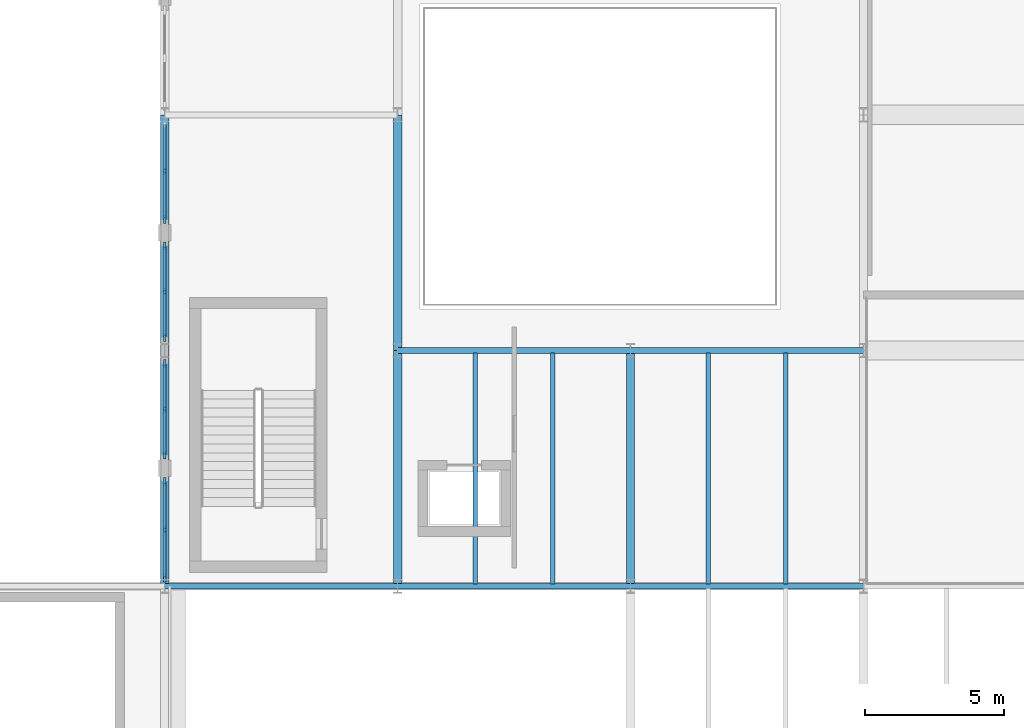
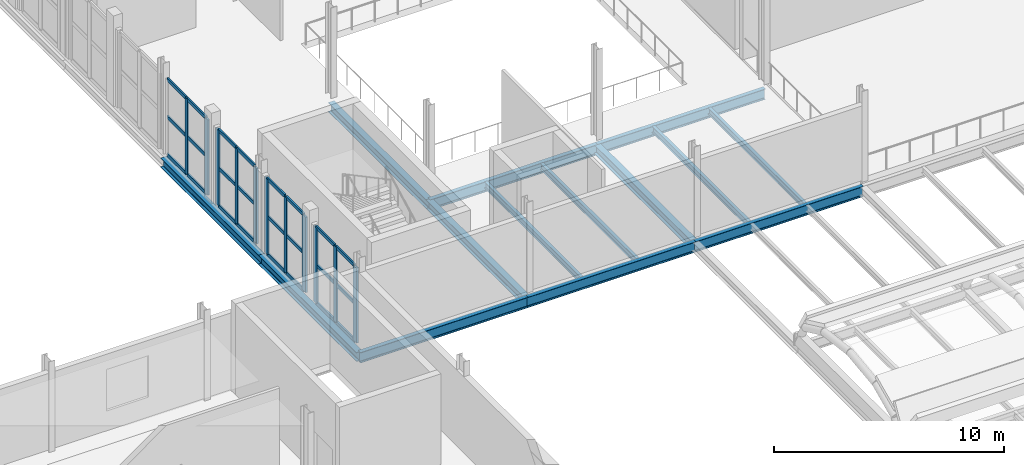
# One storey, part 22 of 63: 35 members, 14 beams, 4 elements without a shape of their own.
"""IFC4 building model written with IfcOpenShell, lengths in metres."""

from ifc_helpers import new_model, si_unit, direction, frame, origin, origin_2d, place, context, subcontext, project, spatial, rectangle, i_section, extrude, material, layer, layer_set, material_profile, profile_set, type_object, element, aggregate, save


model = new_model("IFC4")

# Units and contexts
model_context = context("Model", 3, precision=1e-05, world=origin(), true_north=direction((0.0, 1.0)))
body_context = subcontext(model_context, "Body", "Model", "MODEL_VIEW")
ifc_project = project(units=[si_unit("LENGTHUNIT", "METRE"), si_unit("AREAUNIT", "SQUARE_METRE"), si_unit("VOLUMEUNIT", "CUBIC_METRE"), si_unit("PLANEANGLEUNIT", "RADIAN"), si_unit("MASSUNIT", "GRAM", prefix="KILO")], contexts=[model_context])

# Site, building, storey
site_placement = place(None, origin())
site = spatial("IfcSite", under=ifc_project, at=site_placement, CompositionType="ELEMENT")
building_placement = place(site_placement, origin())
building = spatial("IfcBuilding", under=site, at=building_placement, Name="Sefraquen Railside Congress Hotel", CompositionType="ELEMENT")
storey_placement = place(building_placement, frame((0.0, 0.0, 11.39990234375)))
storey = spatial("IfcBuildingStorey", under=building, at=storey_placement, Name="L02", CompositionType="ELEMENT", Elevation=11.39990234375)

# Beams
ifc_material_1 = material(Name="Steel S355JR", Category="steel")
ifc_material_profile_1 = material_profile(ifc_material_1, i_section(OverallWidth=0.300048828125, OverallDepth=0.489990234375, WebThickness=0.011962890625, FlangeThickness=0.02294921875, FilletRadius=0.027099609375, at=origin_2d()), Name="HEA 500")
ifc_profile_set_1 = profile_set([ifc_material_profile_1], Name="Steel S355JR")
beam_type_1 = type_object("IfcBeamType", Name="TB-GIR-500", PredefinedType="T_BEAM", material=ifc_profile_set_1)
for number, where, z_axis, x_axis, name in (
    (1, (103.199951171875, 54.0, -0.594970703125), (0.0, 1.0, 0.0), (-1.0, 0.0, 0.0), "Floor beam BM-L02-0927"),
    (2, (103.199951171875, 62.5, -0.594970703125), (0.0, 1.0, 0.0), (-1.0, 0.0, 0.0), "Floor beam BM-L02-0928"),
    (3, (111.60009765625, 54.0, -0.594970703125), (0.0, 1.0, 0.0), (-1.0, 0.0, 0.0), "Floor beam BM-L02-0935"),
    (4, (111.60009765625, 62.5, -0.594970703125), (0.0, 1.0, 0.0), (-1.0, 0.0, 0.0), "Floor beam BM-L02-0936"),
    (5, (120.0, 54.0, -0.594970703125), (0.0, 1.0, 0.0), (-1.0, 0.0, 0.0), "Floor beam BM-L02-0948"),
):
    element("IfcBeam", number, at=place(storey_placement, frame(where, z_axis=z_axis, x_axis=x_axis)), inside=storey, type_object=beam_type_1, Name=name, PredefinedType="T_BEAM", context=body_context, shape_type="SweptSolid", body=[
        extrude(i_section(OverallWidth=0.300048828125, OverallDepth=0.489990234375, WebThickness=0.011962890625, FlangeThickness=0.02294921875, FilletRadius=0.027099609375, at=origin_2d()), origin(), (0.0, 0.0, 1.0), 8.5),
    ])
ifc_material_profile_2 = material_profile(ifc_material_1, i_section(OverallWidth=0.2099609375, OverallDepth=0.550048828125, WebThickness=0.010986328125, FlangeThickness=0.01708984375, FilletRadius=0.02392578125, at=origin_2d()), Name="IPE 550")
ifc_profile_set_2 = profile_set([ifc_material_profile_2], Name="Steel S355JR")
beam_type_2 = type_object("IfcBeamType", Name="TB-GIR-550", PredefinedType="T_BEAM", material=ifc_profile_set_2)
beam_placement = place(storey_placement, frame((103.199951171875, 54.0, -0.625), z_axis=(1.0, 0.0, 0.0), x_axis=(0.0, 1.0, 0.0)))
element("IfcBeam", 6, at=beam_placement, inside=storey, type_object=beam_type_2, Name="Primary girder BM-L02-0724", PredefinedType="T_BEAM", context=body_context, shape_type="SweptSolid", body=[
    extrude(i_section(OverallWidth=0.2099609375, OverallDepth=0.550048828125, WebThickness=0.010986328125, FlangeThickness=0.01708984375, FilletRadius=0.02392578125, at=origin_2d()), origin(), (0.0, 0.0, 1.0), 8.400146484375),
])
for number, where, z_axis, x_axis, name in (
    (7, (111.60009765625, 54.0, -0.625), (1.0, 0.0, 0.0), (0.0, 1.0, 0.0), "Primary girder BM-L02-0725"),
    (8, (120.0, 54.0, -0.625), (1.0, 0.0, 0.0), (0.0, 1.0, 0.0), "Primary girder BM-L02-0726"),
    (9, (111.60009765625, 62.5, -0.625), (1.0, 0.0, 0.0), (0.0, 1.0, 0.0), "Primary girder BM-L02-0738"),
    (10, (120.0, 62.5, -0.625), (1.0, 0.0, 0.0), (0.0, 1.0, 0.0), "Primary girder BM-L02-0739"),
):
    element("IfcBeam", number, at=place(storey_placement, frame(where, z_axis=z_axis, x_axis=x_axis)), inside=storey, type_object=beam_type_2, Name=name, PredefinedType="T_BEAM", context=body_context, shape_type="SweptSolid", body=[
        extrude(i_section(OverallWidth=0.2099609375, OverallDepth=0.550048828125, WebThickness=0.010986328125, FlangeThickness=0.01708984375, FilletRadius=0.02392578125, at=origin_2d()), origin(), (0.0, 0.0, 1.0), 8.39990234375),
    ])
ifc_material_profile_3 = material_profile(ifc_material_1, i_section(OverallWidth=0.159912109375, OverallDepth=0.330078125, WebThickness=0.007568359375, FlangeThickness=0.011474609375, FilletRadius=0.01806640625, at=origin_2d()), Name="IPE 330")
ifc_profile_set_3 = profile_set([ifc_material_profile_3], Name="Steel S355JR")
beam_type_3 = type_object("IfcBeamType", Name="TB-JST-330", PredefinedType="JOIST", material=ifc_profile_set_3)
for number, where, z_axis, x_axis, name in (
    (11, (114.39990234375, 54.0849609375, -0.514892578125), (0.0, 1.0, 0.0), (-1.0, 0.0, 0.0), "Composite floor joist BM-L02-J0572"),
    (12, (117.199951171875, 54.0849609375, -0.514892578125), (0.0, 1.0, 0.0), (-1.0, 0.0, 0.0), "Composite floor joist BM-L02-J0573"),
    (13, (122.800048828125, 54.0849609375, -0.514892578125), (0.0, 1.0, 0.0), (-1.0, 0.0, 0.0), "Composite floor joist BM-L02-J0594"),
    (14, (125.60009765625, 54.0849609375, -0.514892578125), (0.0, 1.0, 0.0), (-1.0, 0.0, 0.0), "Composite floor joist BM-L02-J0595"),
):
    element("IfcBeam", number, at=place(storey_placement, frame(where, z_axis=z_axis, x_axis=x_axis)), inside=storey, type_object=beam_type_3, Name=name, PredefinedType="JOIST", context=body_context, shape_type="SweptSolid", body=[
        extrude(i_section(OverallWidth=0.159912109375, OverallDepth=0.330078125, WebThickness=0.007568359375, FlangeThickness=0.011474609375, FilletRadius=0.01806640625, at=origin_2d()), origin(), (0.0, 0.0, 1.0), 8.330078125),
    ])

# Curtain wall, member
ifc_material_2 = material(Name="Thermally broken anodised aluminium and low-E double glazing", Category="aluminium")
ifc_layer = layer(ifc_material_2, 0.199951171875)
ifc_layer_set = layer_set([ifc_layer], Name="Thermally broken anodised aluminium and low-E double glazing")
curtain_wall_type = type_object("IfcCurtainWallType", Name="TCW-UCW-29", PredefinedType="USERDEFINED", material=ifc_layer_set)
curtain_wall_1_placement = place(storey_placement, origin())
curtain_wall_1 = element("IfcCurtainWall", 15, at=curtain_wall_1_placement, inside=storey, type_object=curtain_wall_type, Name="Courtyard east gallery curtain wall L02", ObjectType="UNITISED CURTAIN WALL", PredefinedType="USERDEFINED")
ifc_material_3 = material(Name="Thermally broken anodised aluminium 6063-T6", Category="aluminium")
ifc_material_profile_4 = material_profile(ifc_material_3, rectangle(XDim=0.080078125, YDim=0.239990234375, at=origin_2d()), Name="CWM 80x240")
ifc_profile_set_4 = profile_set([ifc_material_profile_4], Name="Thermally broken anodised aluminium 6063-T6")
member_type_1 = type_object("IfcMemberType", Name="TM-CWM-05", PredefinedType="MULLION", material=ifc_profile_set_4)
member_1_placement = place(storey_placement, frame((103.199951171875, 56.0400390625, 0.0), z_axis=(0.0, 0.0, 1.0), x_axis=(1.0, 0.0, 0.0)))
member_1 = element("IfcMember", 16, at=member_1_placement, type_object=member_type_1, Name="CW-L02-061 mullion 2", PredefinedType="MULLION", context=body_context, shape_type="SweptSolid", body=[
    extrude(rectangle(XDim=0.080078125, YDim=0.239990234375, at=origin_2d()), origin(), (0.0, 0.0, 1.0), 3.989990234375),
])

curtain_wall_2_placement = place(storey_placement, origin())
curtain_wall_2 = element("IfcCurtainWall", 17, at=curtain_wall_2_placement, inside=storey, type_object=curtain_wall_type, Name="Courtyard east gallery curtain wall L02 bay 2", ObjectType="UNITISED CURTAIN WALL", PredefinedType="USERDEFINED")
member_2_placement = place(storey_placement, frame((103.199951171875, 60.375, 0.0), z_axis=(0.0, 0.0, 1.0), x_axis=(1.0, 0.0, 0.0)))
member_2 = element("IfcMember", 18, at=member_2_placement, type_object=member_type_1, Name="CW-L02-061-S2 mullion 2", PredefinedType="MULLION", context=body_context, shape_type="SweptSolid", body=[
    extrude(rectangle(XDim=0.080078125, YDim=0.239990234375, at=origin_2d()), origin(), (0.0, 0.0, 1.0), 3.989990234375),
])

curtain_wall_3_placement = place(storey_placement, origin())
curtain_wall_3 = element("IfcCurtainWall", 19, at=curtain_wall_3_placement, inside=storey, type_object=curtain_wall_type, Name="Courtyard east gallery curtain wall L02 bay 3", ObjectType="UNITISED CURTAIN WALL", PredefinedType="USERDEFINED")
member_3_placement = place(storey_placement, frame((103.199951171875, 64.625, 0.0), z_axis=(0.0, 0.0, 1.0), x_axis=(1.0, 0.0, 0.0)))
member_3 = element("IfcMember", 20, at=member_3_placement, type_object=member_type_1, Name="CW-L02-061-S3 mullion 2", PredefinedType="MULLION", context=body_context, shape_type="SweptSolid", body=[
    extrude(rectangle(XDim=0.080078125, YDim=0.239990234375, at=origin_2d()), origin(), (0.0, 0.0, 1.0), 3.989990234375),
])

curtain_wall_4_placement = place(storey_placement, origin())
curtain_wall_4 = element("IfcCurtainWall", 21, at=curtain_wall_4_placement, inside=storey, type_object=curtain_wall_type, Name="Courtyard east gallery curtain wall L02 bay 4", ObjectType="UNITISED CURTAIN WALL", PredefinedType="USERDEFINED")
member_4_placement = place(storey_placement, frame((103.199951171875, 68.9599609375, 0.0), z_axis=(0.0, 0.0, 1.0), x_axis=(1.0, 0.0, 0.0)))
member_4 = element("IfcMember", 22, at=member_4_placement, type_object=member_type_1, Name="CW-L02-061-S4 mullion 2", PredefinedType="MULLION", context=body_context, shape_type="SweptSolid", body=[
    extrude(rectangle(XDim=0.080078125, YDim=0.239990234375, at=origin_2d()), origin(), (0.0, 0.0, 1.0), 3.989990234375),
])

# Member
ifc_material_profile_5 = material_profile(ifc_material_3, rectangle(XDim=0.094970703125, YDim=0.300048828125, at=origin_2d()), Name="CWM 95x300")
ifc_profile_set_5 = profile_set([ifc_material_profile_5], Name="Thermally broken anodised aluminium 6063-T6")
member_type_2 = type_object("IfcMemberType", Name="TM-CWM-08", PredefinedType="MULLION", material=ifc_profile_set_5)
member_5_placement = place(storey_placement, frame((103.199951171875, 54.31005859375, 0.0), z_axis=(0.0, 0.0, 1.0), x_axis=(1.0, 0.0, 0.0)))
member_5 = element("IfcMember", 23, at=member_5_placement, type_object=member_type_2, Name="CW-L02-061 mullion 1", PredefinedType="MULLION", context=body_context, shape_type="SweptSolid", body=[
    extrude(rectangle(XDim=0.094970703125, YDim=0.300048828125, at=origin_2d()), origin(), (0.0, 0.0, 1.0), 3.989990234375),
])

member_6_placement = place(storey_placement, frame((103.199951171875, 57.77001953125, 0.0), z_axis=(0.0, 0.0, 1.0), x_axis=(1.0, 0.0, 0.0)))
member_6 = element("IfcMember", 24, at=member_6_placement, type_object=member_type_2, Name="CW-L02-061 mullion 3", PredefinedType="MULLION", context=body_context, shape_type="SweptSolid", body=[
    extrude(rectangle(XDim=0.094970703125, YDim=0.300048828125, at=origin_2d()), origin(), (0.0, 0.0, 1.0), 3.989990234375),
])

member_7_placement = place(storey_placement, frame((103.199951171875, 58.72998046875, 0.0), z_axis=(0.0, 0.0, 1.0), x_axis=(1.0, 0.0, 0.0)))
member_7 = element("IfcMember", 25, at=member_7_placement, type_object=member_type_2, Name="CW-L02-061-S2 mullion 1", PredefinedType="MULLION", context=body_context, shape_type="SweptSolid", body=[
    extrude(rectangle(XDim=0.094970703125, YDim=0.300048828125, at=origin_2d()), origin(), (0.0, 0.0, 1.0), 3.989990234375),
])

member_8_placement = place(storey_placement, frame((103.199951171875, 62.02001953125, 0.0), z_axis=(0.0, 0.0, 1.0), x_axis=(1.0, 0.0, 0.0)))
member_8 = element("IfcMember", 26, at=member_8_placement, type_object=member_type_2, Name="CW-L02-061-S2 mullion 3", PredefinedType="MULLION", context=body_context, shape_type="SweptSolid", body=[
    extrude(rectangle(XDim=0.094970703125, YDim=0.300048828125, at=origin_2d()), origin(), (0.0, 0.0, 1.0), 3.989990234375),
])

member_9_placement = place(storey_placement, frame((103.199951171875, 62.97998046875, 0.0), z_axis=(0.0, 0.0, 1.0), x_axis=(1.0, 0.0, 0.0)))
member_9 = element("IfcMember", 27, at=member_9_placement, type_object=member_type_2, Name="CW-L02-061-S3 mullion 1", PredefinedType="MULLION", context=body_context, shape_type="SweptSolid", body=[
    extrude(rectangle(XDim=0.094970703125, YDim=0.300048828125, at=origin_2d()), origin(), (0.0, 0.0, 1.0), 3.989990234375),
])

member_10_placement = place(storey_placement, frame((103.199951171875, 66.27001953125, 0.0), z_axis=(0.0, 0.0, 1.0), x_axis=(1.0, 0.0, 0.0)))
member_10 = element("IfcMember", 28, at=member_10_placement, type_object=member_type_2, Name="CW-L02-061-S3 mullion 3", PredefinedType="MULLION", context=body_context, shape_type="SweptSolid", body=[
    extrude(rectangle(XDim=0.094970703125, YDim=0.300048828125, at=origin_2d()), origin(), (0.0, 0.0, 1.0), 3.989990234375),
])

member_11_placement = place(storey_placement, frame((103.199951171875, 67.22998046875, 0.0), z_axis=(0.0, 0.0, 1.0), x_axis=(1.0, 0.0, 0.0)))
member_11 = element("IfcMember", 29, at=member_11_placement, type_object=member_type_2, Name="CW-L02-061-S4 mullion 1", PredefinedType="MULLION", context=body_context, shape_type="SweptSolid", body=[
    extrude(rectangle(XDim=0.094970703125, YDim=0.300048828125, at=origin_2d()), origin(), (0.0, 0.0, 1.0), 3.989990234375),
])

ifc_material_profile_6 = material_profile(ifc_material_3, rectangle(XDim=0.080078125, YDim=0.179931640625, at=origin_2d()), Name="CWT 80x180")
ifc_profile_set_6 = profile_set([ifc_material_profile_6], Name="Thermally broken anodised aluminium 6063-T6")
member_type_3 = type_object("IfcMemberType", Name="TM-CWT-05", PredefinedType="USERDEFINED", material=ifc_profile_set_6)
member_12_placement = place(storey_placement, frame((103.199951171875, 54.35498046875, 0.0), z_axis=(0.0, 1.0, 0.0), x_axis=(-1.0, 0.0, 0.0)))
member_12 = element("IfcMember", 30, at=member_12_placement, type_object=member_type_3, Name="CW-L02-061 transom 1.1", ObjectType="TRANSOM", PredefinedType="USERDEFINED", context=body_context, shape_type="SweptSolid", body=[
    extrude(rectangle(XDim=0.080078125, YDim=0.179931640625, at=origin_2d()), origin(), (0.0, 0.0, 1.0), 1.64013671875),
])

member_13_placement = place(storey_placement, frame((103.199951171875, 56.0849609375, 0.0), z_axis=(0.0, 1.0, 0.0), x_axis=(-1.0, 0.0, 0.0)))
member_13 = element("IfcMember", 31, at=member_13_placement, type_object=member_type_3, Name="CW-L02-061 transom 1.2", ObjectType="TRANSOM", PredefinedType="USERDEFINED", context=body_context, shape_type="SweptSolid", body=[
    extrude(rectangle(XDim=0.080078125, YDim=0.179931640625, at=origin_2d()), origin(), (0.0, 0.0, 1.0), 1.64013671875),
])

member_14_placement = place(storey_placement, frame((103.199951171875, 54.35498046875, 1.9951171875), z_axis=(0.0, 1.0, 0.0), x_axis=(-1.0, 0.0, 0.0)))
member_14 = element("IfcMember", 32, at=member_14_placement, type_object=member_type_3, Name="CW-L02-061 transom 2.1", ObjectType="TRANSOM", PredefinedType="USERDEFINED", context=body_context, shape_type="SweptSolid", body=[
    extrude(rectangle(XDim=0.080078125, YDim=0.179931640625, at=origin_2d()), origin(), (0.0, 0.0, 1.0), 1.64013671875),
])

member_15_placement = place(storey_placement, frame((103.199951171875, 56.0849609375, 1.9951171875), z_axis=(0.0, 1.0, 0.0), x_axis=(-1.0, 0.0, 0.0)))
member_15 = element("IfcMember", 33, at=member_15_placement, type_object=member_type_3, Name="CW-L02-061 transom 2.2", ObjectType="TRANSOM", PredefinedType="USERDEFINED", context=body_context, shape_type="SweptSolid", body=[
    extrude(rectangle(XDim=0.080078125, YDim=0.179931640625, at=origin_2d()), origin(), (0.0, 0.0, 1.0), 1.64013671875),
])

member_16_placement = place(storey_placement, frame((103.199951171875, 54.35498046875, 3.989990234375), z_axis=(0.0, 1.0, 0.0), x_axis=(-1.0, 0.0, 0.0)))
member_16 = element("IfcMember", 34, at=member_16_placement, type_object=member_type_3, Name="CW-L02-061 transom 3.1", ObjectType="TRANSOM", PredefinedType="USERDEFINED", context=body_context, shape_type="SweptSolid", body=[
    extrude(rectangle(XDim=0.080078125, YDim=0.179931640625, at=origin_2d()), origin(), (0.0, 0.0, 1.0), 1.64013671875),
])

member_17_placement = place(storey_placement, frame((103.199951171875, 56.0849609375, 3.989990234375), z_axis=(0.0, 1.0, 0.0), x_axis=(-1.0, 0.0, 0.0)))
member_17 = element("IfcMember", 35, at=member_17_placement, type_object=member_type_3, Name="CW-L02-061 transom 3.2", ObjectType="TRANSOM", PredefinedType="USERDEFINED", context=body_context, shape_type="SweptSolid", body=[
    extrude(rectangle(XDim=0.080078125, YDim=0.179931640625, at=origin_2d()), origin(), (0.0, 0.0, 1.0), 1.64013671875),
])

aggregate(curtain_wall_1, [member_5, member_1, member_6, member_12, member_13, member_14, member_15, member_16, member_17])

member_18_placement = place(storey_placement, frame((103.199951171875, 58.77490234375, 0.0), z_axis=(0.0, 1.0, 0.0), x_axis=(-1.0, 0.0, 0.0)))
member_18 = element("IfcMember", 36, at=member_18_placement, type_object=member_type_3, Name="CW-L02-061-S2 transom 1.1", ObjectType="TRANSOM", PredefinedType="USERDEFINED", context=body_context, shape_type="SweptSolid", body=[
    extrude(rectangle(XDim=0.080078125, YDim=0.179931640625, at=origin_2d()), origin(), (0.0, 0.0, 1.0), 1.55517578125),
])

member_19_placement = place(storey_placement, frame((103.199951171875, 60.419921875, 0.0), z_axis=(0.0, 1.0, 0.0), x_axis=(-1.0, 0.0, 0.0)))
member_19 = element("IfcMember", 37, at=member_19_placement, type_object=member_type_3, Name="CW-L02-061-S2 transom 1.2", ObjectType="TRANSOM", PredefinedType="USERDEFINED", context=body_context, shape_type="SweptSolid", body=[
    extrude(rectangle(XDim=0.080078125, YDim=0.179931640625, at=origin_2d()), origin(), (0.0, 0.0, 1.0), 1.55517578125),
])

member_20_placement = place(storey_placement, frame((103.199951171875, 58.77490234375, 1.9951171875), z_axis=(0.0, 1.0, 0.0), x_axis=(-1.0, 0.0, 0.0)))
member_20 = element("IfcMember", 38, at=member_20_placement, type_object=member_type_3, Name="CW-L02-061-S2 transom 2.1", ObjectType="TRANSOM", PredefinedType="USERDEFINED", context=body_context, shape_type="SweptSolid", body=[
    extrude(rectangle(XDim=0.080078125, YDim=0.179931640625, at=origin_2d()), origin(), (0.0, 0.0, 1.0), 1.55517578125),
])

member_21_placement = place(storey_placement, frame((103.199951171875, 60.419921875, 1.9951171875), z_axis=(0.0, 1.0, 0.0), x_axis=(-1.0, 0.0, 0.0)))
member_21 = element("IfcMember", 39, at=member_21_placement, type_object=member_type_3, Name="CW-L02-061-S2 transom 2.2", ObjectType="TRANSOM", PredefinedType="USERDEFINED", context=body_context, shape_type="SweptSolid", body=[
    extrude(rectangle(XDim=0.080078125, YDim=0.179931640625, at=origin_2d()), origin(), (0.0, 0.0, 1.0), 1.55517578125),
])

member_22_placement = place(storey_placement, frame((103.199951171875, 58.77490234375, 3.989990234375), z_axis=(0.0, 1.0, 0.0), x_axis=(-1.0, 0.0, 0.0)))
member_22 = element("IfcMember", 40, at=member_22_placement, type_object=member_type_3, Name="CW-L02-061-S2 transom 3.1", ObjectType="TRANSOM", PredefinedType="USERDEFINED", context=body_context, shape_type="SweptSolid", body=[
    extrude(rectangle(XDim=0.080078125, YDim=0.179931640625, at=origin_2d()), origin(), (0.0, 0.0, 1.0), 1.55517578125),
])

member_23_placement = place(storey_placement, frame((103.199951171875, 60.419921875, 3.989990234375), z_axis=(0.0, 1.0, 0.0), x_axis=(-1.0, 0.0, 0.0)))
member_23 = element("IfcMember", 41, at=member_23_placement, type_object=member_type_3, Name="CW-L02-061-S2 transom 3.2", ObjectType="TRANSOM", PredefinedType="USERDEFINED", context=body_context, shape_type="SweptSolid", body=[
    extrude(rectangle(XDim=0.080078125, YDim=0.179931640625, at=origin_2d()), origin(), (0.0, 0.0, 1.0), 1.55517578125),
])

aggregate(curtain_wall_2, [member_7, member_2, member_8, member_18, member_19, member_20, member_21, member_22, member_23])

member_24_placement = place(storey_placement, frame((103.199951171875, 63.02490234375, 0.0), z_axis=(0.0, 1.0, 0.0), x_axis=(-1.0, 0.0, 0.0)))
member_24 = element("IfcMember", 42, at=member_24_placement, type_object=member_type_3, Name="CW-L02-061-S3 transom 1.1", ObjectType="TRANSOM", PredefinedType="USERDEFINED", context=body_context, shape_type="SweptSolid", body=[
    extrude(rectangle(XDim=0.080078125, YDim=0.179931640625, at=origin_2d()), origin(), (0.0, 0.0, 1.0), 1.55517578125),
])

member_25_placement = place(storey_placement, frame((103.199951171875, 64.669921875, 0.0), z_axis=(0.0, 1.0, 0.0), x_axis=(-1.0, 0.0, 0.0)))
member_25 = element("IfcMember", 43, at=member_25_placement, type_object=member_type_3, Name="CW-L02-061-S3 transom 1.2", ObjectType="TRANSOM", PredefinedType="USERDEFINED", context=body_context, shape_type="SweptSolid", body=[
    extrude(rectangle(XDim=0.080078125, YDim=0.179931640625, at=origin_2d()), origin(), (0.0, 0.0, 1.0), 1.55517578125),
])

member_26_placement = place(storey_placement, frame((103.199951171875, 63.02490234375, 1.9951171875), z_axis=(0.0, 1.0, 0.0), x_axis=(-1.0, 0.0, 0.0)))
member_26 = element("IfcMember", 44, at=member_26_placement, type_object=member_type_3, Name="CW-L02-061-S3 transom 2.1", ObjectType="TRANSOM", PredefinedType="USERDEFINED", context=body_context, shape_type="SweptSolid", body=[
    extrude(rectangle(XDim=0.080078125, YDim=0.179931640625, at=origin_2d()), origin(), (0.0, 0.0, 1.0), 1.55517578125),
])

member_27_placement = place(storey_placement, frame((103.199951171875, 64.669921875, 1.9951171875), z_axis=(0.0, 1.0, 0.0), x_axis=(-1.0, 0.0, 0.0)))
member_27 = element("IfcMember", 45, at=member_27_placement, type_object=member_type_3, Name="CW-L02-061-S3 transom 2.2", ObjectType="TRANSOM", PredefinedType="USERDEFINED", context=body_context, shape_type="SweptSolid", body=[
    extrude(rectangle(XDim=0.080078125, YDim=0.179931640625, at=origin_2d()), origin(), (0.0, 0.0, 1.0), 1.55517578125),
])

member_28_placement = place(storey_placement, frame((103.199951171875, 63.02490234375, 3.989990234375), z_axis=(0.0, 1.0, 0.0), x_axis=(-1.0, 0.0, 0.0)))
member_28 = element("IfcMember", 46, at=member_28_placement, type_object=member_type_3, Name="CW-L02-061-S3 transom 3.1", ObjectType="TRANSOM", PredefinedType="USERDEFINED", context=body_context, shape_type="SweptSolid", body=[
    extrude(rectangle(XDim=0.080078125, YDim=0.179931640625, at=origin_2d()), origin(), (0.0, 0.0, 1.0), 1.55517578125),
])

member_29_placement = place(storey_placement, frame((103.199951171875, 64.669921875, 3.989990234375), z_axis=(0.0, 1.0, 0.0), x_axis=(-1.0, 0.0, 0.0)))
member_29 = element("IfcMember", 47, at=member_29_placement, type_object=member_type_3, Name="CW-L02-061-S3 transom 3.2", ObjectType="TRANSOM", PredefinedType="USERDEFINED", context=body_context, shape_type="SweptSolid", body=[
    extrude(rectangle(XDim=0.080078125, YDim=0.179931640625, at=origin_2d()), origin(), (0.0, 0.0, 1.0), 1.55517578125),
])

aggregate(curtain_wall_3, [member_9, member_3, member_10, member_24, member_25, member_26, member_27, member_28, member_29])

member_30_placement = place(storey_placement, frame((103.199951171875, 67.27490234375, 0.0), z_axis=(0.0, 1.0, 0.0), x_axis=(-1.0, 0.0, 0.0)))
member_30 = element("IfcMember", 48, at=member_30_placement, type_object=member_type_3, Name="CW-L02-061-S4 transom 1.1", ObjectType="TRANSOM", PredefinedType="USERDEFINED", context=body_context, shape_type="SweptSolid", body=[
    extrude(rectangle(XDim=0.080078125, YDim=0.179931640625, at=origin_2d()), origin(), (0.0, 0.0, 1.0), 1.64013671875),
])

member_31_placement = place(storey_placement, frame((103.199951171875, 69.0048828125, 0.0), z_axis=(0.0, 1.0, 0.0), x_axis=(-1.0, 0.0, 0.0)))
member_31 = element("IfcMember", 49, at=member_31_placement, type_object=member_type_3, Name="CW-L02-061-S4 transom 1.2", ObjectType="TRANSOM", PredefinedType="USERDEFINED", context=body_context, shape_type="SweptSolid", body=[
    extrude(rectangle(XDim=0.080078125, YDim=0.179931640625, at=origin_2d()), origin(), (0.0, 0.0, 1.0), 1.64013671875),
])

member_32_placement = place(storey_placement, frame((103.199951171875, 67.27490234375, 1.9951171875), z_axis=(0.0, 1.0, 0.0), x_axis=(-1.0, 0.0, 0.0)))
member_32 = element("IfcMember", 50, at=member_32_placement, type_object=member_type_3, Name="CW-L02-061-S4 transom 2.1", ObjectType="TRANSOM", PredefinedType="USERDEFINED", context=body_context, shape_type="SweptSolid", body=[
    extrude(rectangle(XDim=0.080078125, YDim=0.179931640625, at=origin_2d()), origin(), (0.0, 0.0, 1.0), 1.64013671875),
])

member_33_placement = place(storey_placement, frame((103.199951171875, 69.0048828125, 1.9951171875), z_axis=(0.0, 1.0, 0.0), x_axis=(-1.0, 0.0, 0.0)))
member_33 = element("IfcMember", 51, at=member_33_placement, type_object=member_type_3, Name="CW-L02-061-S4 transom 2.2", ObjectType="TRANSOM", PredefinedType="USERDEFINED", context=body_context, shape_type="SweptSolid", body=[
    extrude(rectangle(XDim=0.080078125, YDim=0.179931640625, at=origin_2d()), origin(), (0.0, 0.0, 1.0), 1.64013671875),
])

member_34_placement = place(storey_placement, frame((103.199951171875, 67.27490234375, 3.989990234375), z_axis=(0.0, 1.0, 0.0), x_axis=(-1.0, 0.0, 0.0)))
member_34 = element("IfcMember", 52, at=member_34_placement, type_object=member_type_3, Name="CW-L02-061-S4 transom 3.1", ObjectType="TRANSOM", PredefinedType="USERDEFINED", context=body_context, shape_type="SweptSolid", body=[
    extrude(rectangle(XDim=0.080078125, YDim=0.179931640625, at=origin_2d()), origin(), (0.0, 0.0, 1.0), 1.64013671875),
])

member_35_placement = place(storey_placement, frame((103.199951171875, 69.0048828125, 3.989990234375), z_axis=(0.0, 1.0, 0.0), x_axis=(-1.0, 0.0, 0.0)))
member_35 = element("IfcMember", 53, at=member_35_placement, type_object=member_type_3, Name="CW-L02-061-S4 transom 3.2", ObjectType="TRANSOM", PredefinedType="USERDEFINED", context=body_context, shape_type="SweptSolid", body=[
    extrude(rectangle(XDim=0.080078125, YDim=0.179931640625, at=origin_2d()), origin(), (0.0, 0.0, 1.0), 1.64013671875),
])

aggregate(curtain_wall_4, [member_11, member_4, member_30, member_31, member_32, member_33, member_34, member_35])

save(model, "model.ifc")
